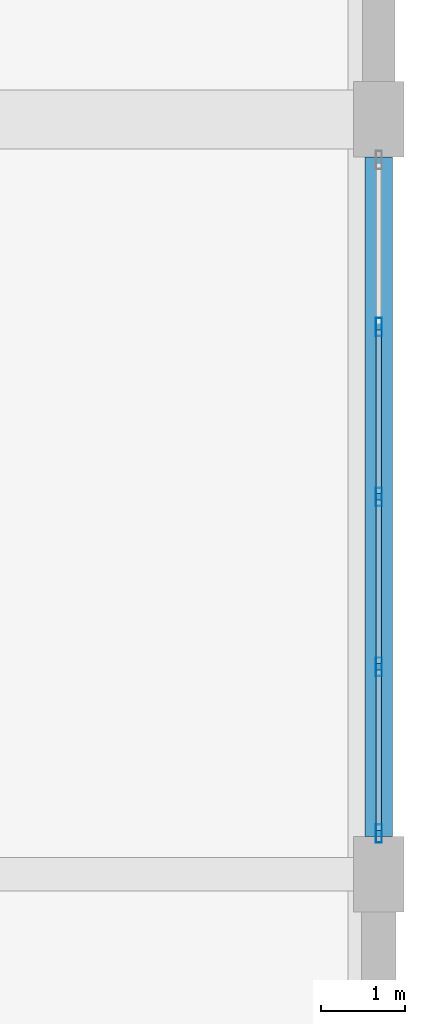
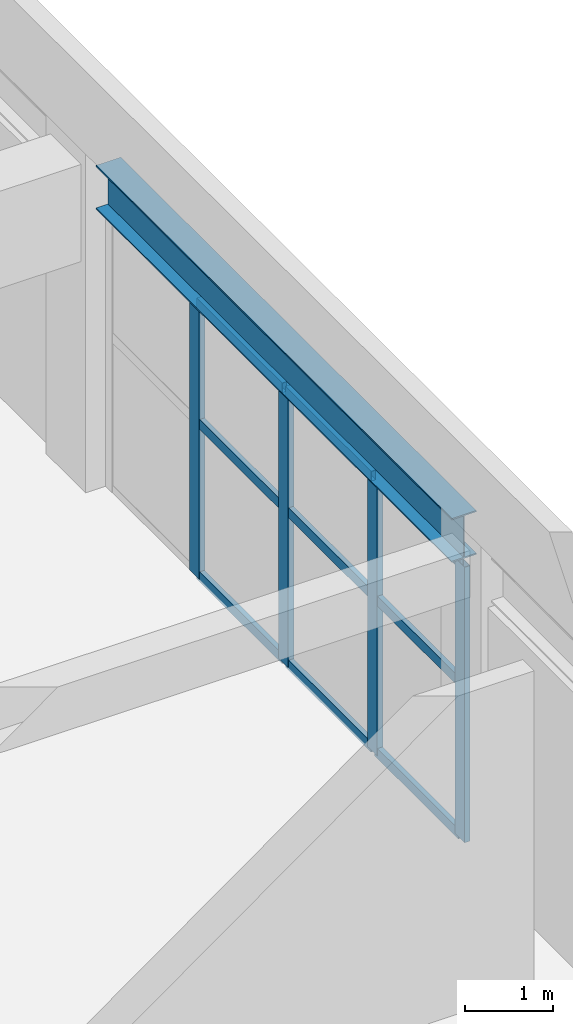
# One storey, part 46 of 80: 13 members, 1 beam, 1 element without a shape of its own.
"""IFC4 building model written with IfcOpenShell, lengths in metres."""

from ifc_helpers import new_model, si_unit, direction, frame, origin, origin_2d, place, context, subcontext, project, spatial, hollow_rectangle, i_section, extrude, material, layer, layer_set, material_profile, profile_set, type_object, element, aggregate, save


model = new_model("IFC4")

# Units and contexts
model_context = context("Model", 3, precision=1e-05, world=origin(), true_north=direction((0.0, 1.0)))
body_context = subcontext(model_context, "Body", "Model", "MODEL_VIEW")
ifc_project = project(units=[si_unit("LENGTHUNIT", "METRE"), si_unit("AREAUNIT", "SQUARE_METRE"), si_unit("VOLUMEUNIT", "CUBIC_METRE"), si_unit("PLANEANGLEUNIT", "RADIAN"), si_unit("MASSUNIT", "GRAM", prefix="KILO")], contexts=[model_context])

# Site, building, storey
site_placement = place(None, origin())
site = spatial("IfcSite", under=ifc_project, at=site_placement, CompositionType="ELEMENT")
building_placement = place(site_placement, origin())
building = spatial("IfcBuilding", under=site, at=building_placement, Name="Vaelkrest Opera House", CompositionType="ELEMENT")
storey_placement = place(building_placement, frame((0.0, 0.0, 15.0)))
storey = spatial("IfcBuildingStorey", under=building, at=storey_placement, Name="L03", CompositionType="ELEMENT", Elevation=15.0)

# Curtain wall, members
ifc_material_1 = material(Name="Dark bronze anodized aluminium", Category="aluminium")
ifc_layer = layer(ifc_material_1, 0.239990234375)
ifc_layer_set = layer_set([ifc_layer], Name="Dark bronze anodized aluminium")
curtain_wall_type = type_object("IfcCurtainWallType", Name="CW07", PredefinedType="NOTDEFINED", material=ifc_layer_set)
curtain_wall_placement = place(storey_placement, origin())
curtain_wall = element("IfcCurtainWall", 1, at=curtain_wall_placement, inside=storey, type_object=curtain_wall_type, Name="Curtain wall CW-L03-168", PredefinedType="NOTDEFINED")
ifc_material_profile_1 = material_profile(ifc_material_1, hollow_rectangle(XDim=0.074951171875, YDim=0.219970703125, WallThickness=0.00439453125, at=origin_2d()), Name="CWM75X220")
ifc_profile_set_1 = profile_set([ifc_material_profile_1], Name="Dark bronze anodized aluminium")
member_type_1 = type_object("IfcMemberType", Name="CWM03", PredefinedType="MULLION", material=ifc_profile_set_1)
member_1_placement = place(storey_placement, frame((77.60009765625, 7.72607421875, 0.0), z_axis=(0.0, 0.0, 1.0), x_axis=(1.0, 0.0, 0.0)))
member_1 = element("IfcMember", 2, at=member_1_placement, type_object=member_type_1, Name="CW07 mullion 2", PredefinedType="MULLION", context=body_context, shape_type="SweptSolid", body=[
    extrude(hollow_rectangle(XDim=0.074951171875, YDim=0.219970703125, WallThickness=0.00439453125, at=origin_2d()), origin(), (0.0, 0.0, 1.0), 3.8291015625),
])
member_2_placement = place(storey_placement, frame((77.60009765625, 5.699951171875, 0.0), z_axis=(0.0, 0.0, 1.0), x_axis=(1.0, 0.0, 0.0)))
member_2 = element("IfcMember", 3, at=member_2_placement, type_object=member_type_1, Name="CW07 mullion 3", PredefinedType="MULLION", context=body_context, shape_type="SweptSolid", body=[
    extrude(hollow_rectangle(XDim=0.074951171875, YDim=0.219970703125, WallThickness=0.00439453125, at=origin_2d()), origin(), (0.0, 0.0, 1.0), 3.8291015625),
])
member_3_placement = place(storey_placement, frame((77.60009765625, 3.674072265625, 0.0), z_axis=(0.0, 0.0, 1.0), x_axis=(1.0, 0.0, 0.0)))
member_3 = element("IfcMember", 4, at=member_3_placement, type_object=member_type_1, Name="CW07 mullion 4", PredefinedType="MULLION", context=body_context, shape_type="SweptSolid", body=[
    extrude(hollow_rectangle(XDim=0.074951171875, YDim=0.219970703125, WallThickness=0.00439453125, at=origin_2d()), origin(), (0.0, 0.0, 1.0), 3.8291015625),
])
member_4_placement = place(storey_placement, frame((77.60009765625, 1.685546875, 0.0), z_axis=(0.0, 0.0, 1.0), x_axis=(1.0, 0.0, 0.0)))
member_4 = element("IfcMember", 5, at=member_4_placement, type_object=member_type_1, Name="CW07 mullion 5", PredefinedType="MULLION", context=body_context, shape_type="SweptSolid", body=[
    extrude(hollow_rectangle(XDim=0.074951171875, YDim=0.219970703125, WallThickness=0.00439453125, at=origin_2d()), origin(), (0.0, 0.0, 1.0), 3.8291015625),
])
ifc_material_profile_2 = material_profile(ifc_material_1, hollow_rectangle(XDim=0.06494140625, YDim=0.139892578125, WallThickness=0.00390625, at=origin_2d()), Name="CWT65X140")
ifc_profile_set_2 = profile_set([ifc_material_profile_2], Name="Dark bronze anodized aluminium")
member_type_2 = type_object("IfcMemberType", Name="CWT01", PredefinedType="USERDEFINED", material=ifc_profile_set_2)
member_5_placement = place(storey_placement, frame((77.60009765625, 7.6884765625, 0.032470703125), z_axis=(0.0, -1.0, 0.0), x_axis=(1.0, 0.0, 0.0)))
member_5 = element("IfcMember", 6, at=member_5_placement, type_object=member_type_2, Name="CW07 transom 2.1", ObjectType="TRANSOM", PredefinedType="USERDEFINED", context=body_context, shape_type="SweptSolid", body=[
    extrude(hollow_rectangle(XDim=0.06494140625, YDim=0.139892578125, WallThickness=0.00390625, at=origin_2d()), origin(), (0.0, 0.0, 1.0), 1.950927734375),
])
member_6_placement = place(storey_placement, frame((77.60009765625, 7.6884765625, 2.14990234375), z_axis=(0.0, -1.0, 0.0), x_axis=(1.0, 0.0, 0.0)))
member_6 = element("IfcMember", 7, at=member_6_placement, type_object=member_type_2, Name="CW07 transom 2.2", ObjectType="TRANSOM", PredefinedType="USERDEFINED", context=body_context, shape_type="SweptSolid", body=[
    extrude(hollow_rectangle(XDim=0.06494140625, YDim=0.139892578125, WallThickness=0.00390625, at=origin_2d()), origin(), (0.0, 0.0, 1.0), 1.950927734375),
])
member_7_placement = place(storey_placement, frame((77.60009765625, 7.6884765625, 3.79638671875), z_axis=(0.0, -1.0, 0.0), x_axis=(1.0, 0.0, 0.0)))
member_7 = element("IfcMember", 8, at=member_7_placement, type_object=member_type_2, Name="CW07 transom 2.3", ObjectType="TRANSOM", PredefinedType="USERDEFINED", context=body_context, shape_type="SweptSolid", body=[
    extrude(hollow_rectangle(XDim=0.06494140625, YDim=0.139892578125, WallThickness=0.00390625, at=origin_2d()), origin(), (0.0, 0.0, 1.0), 1.950927734375),
])
member_8_placement = place(storey_placement, frame((77.60009765625, 5.66259765625, 0.032470703125), z_axis=(0.0, -1.0, 0.0), x_axis=(1.0, 0.0, 0.0)))
member_8 = element("IfcMember", 9, at=member_8_placement, type_object=member_type_2, Name="CW07 transom 3.1", ObjectType="TRANSOM", PredefinedType="USERDEFINED", context=body_context, shape_type="SweptSolid", body=[
    extrude(hollow_rectangle(XDim=0.06494140625, YDim=0.139892578125, WallThickness=0.00390625, at=origin_2d()), origin(), (0.0, 0.0, 1.0), 1.951171875),
])
member_9_placement = place(storey_placement, frame((77.60009765625, 5.66259765625, 2.14990234375), z_axis=(0.0, -1.0, 0.0), x_axis=(1.0, 0.0, 0.0)))
member_9 = element("IfcMember", 10, at=member_9_placement, type_object=member_type_2, Name="CW07 transom 3.2", ObjectType="TRANSOM", PredefinedType="USERDEFINED", context=body_context, shape_type="SweptSolid", body=[
    extrude(hollow_rectangle(XDim=0.06494140625, YDim=0.139892578125, WallThickness=0.00390625, at=origin_2d()), origin(), (0.0, 0.0, 1.0), 1.951171875),
])
member_10_placement = place(storey_placement, frame((77.60009765625, 5.66259765625, 3.79638671875), z_axis=(0.0, -1.0, 0.0), x_axis=(1.0, 0.0, 0.0)))
member_10 = element("IfcMember", 11, at=member_10_placement, type_object=member_type_2, Name="CW07 transom 3.3", ObjectType="TRANSOM", PredefinedType="USERDEFINED", context=body_context, shape_type="SweptSolid", body=[
    extrude(hollow_rectangle(XDim=0.06494140625, YDim=0.139892578125, WallThickness=0.00390625, at=origin_2d()), origin(), (0.0, 0.0, 1.0), 1.951171875),
])
member_11_placement = place(storey_placement, frame((77.60009765625, 3.636474609375, 0.032470703125), z_axis=(0.0, -1.0, 0.0), x_axis=(1.0, 0.0, 0.0)))
member_11 = element("IfcMember", 12, at=member_11_placement, type_object=member_type_2, Name="CW07 transom 4.1", ObjectType="TRANSOM", PredefinedType="USERDEFINED", context=body_context, shape_type="SweptSolid", body=[
    extrude(hollow_rectangle(XDim=0.06494140625, YDim=0.139892578125, WallThickness=0.00390625, at=origin_2d()), origin(), (0.0, 0.0, 1.0), 1.91357421875),
])
member_12_placement = place(storey_placement, frame((77.60009765625, 3.636474609375, 2.14990234375), z_axis=(0.0, -1.0, 0.0), x_axis=(1.0, 0.0, 0.0)))
member_12 = element("IfcMember", 13, at=member_12_placement, type_object=member_type_2, Name="CW07 transom 4.2", ObjectType="TRANSOM", PredefinedType="USERDEFINED", context=body_context, shape_type="SweptSolid", body=[
    extrude(hollow_rectangle(XDim=0.06494140625, YDim=0.139892578125, WallThickness=0.00390625, at=origin_2d()), origin(), (0.0, 0.0, 1.0), 1.91357421875),
])
member_13_placement = place(storey_placement, frame((77.60009765625, 3.636474609375, 3.79638671875), z_axis=(0.0, -1.0, 0.0), x_axis=(1.0, 0.0, 0.0)))
member_13 = element("IfcMember", 14, at=member_13_placement, type_object=member_type_2, Name="CW07 transom 4.3", ObjectType="TRANSOM", PredefinedType="USERDEFINED", context=body_context, shape_type="SweptSolid", body=[
    extrude(hollow_rectangle(XDim=0.06494140625, YDim=0.139892578125, WallThickness=0.00390625, at=origin_2d()), origin(), (0.0, 0.0, 1.0), 1.91357421875),
])
aggregate(curtain_wall, [member_1, member_2, member_3, member_4, member_5, member_6, member_7, member_8, member_9, member_10, member_11, member_12, member_13])

# Beam
ifc_material_2 = material(Name="Steel A992 Gr50", Category="steel")
ifc_material_profile_3 = material_profile(ifc_material_2, i_section(OverallWidth=0.323974609375, OverallDepth=0.611083984375, WebThickness=0.0126953125, FlangeThickness=0.01904296875, at=origin_2d()), Name="W24X104")
ifc_profile_set_3 = profile_set([ifc_material_profile_3], Name="Steel A992 Gr50")
beam_type = type_object("IfcBeamType", Name="SP01", PredefinedType="SPANDREL", material=ifc_profile_set_3)
beam_placement = place(storey_placement, frame((77.60009765625, 1.64990234375, 4.199462890625), z_axis=(0.0, 1.0, 0.0), x_axis=(-1.0, 0.0, 0.0)))
element("IfcBeam", 15, at=beam_placement, inside=storey, type_object=beam_type, Name="Beam BM-V4-L03-2384", PredefinedType="SPANDREL", context=body_context, shape_type="SweptSolid", body=[
    extrude(i_section(OverallWidth=0.323974609375, OverallDepth=0.611083984375, WebThickness=0.0126953125, FlangeThickness=0.01904296875, at=origin_2d()), origin(), (0.0, 0.0, 1.0), 8.10009765625),
])

save(model, "model.ifc")
